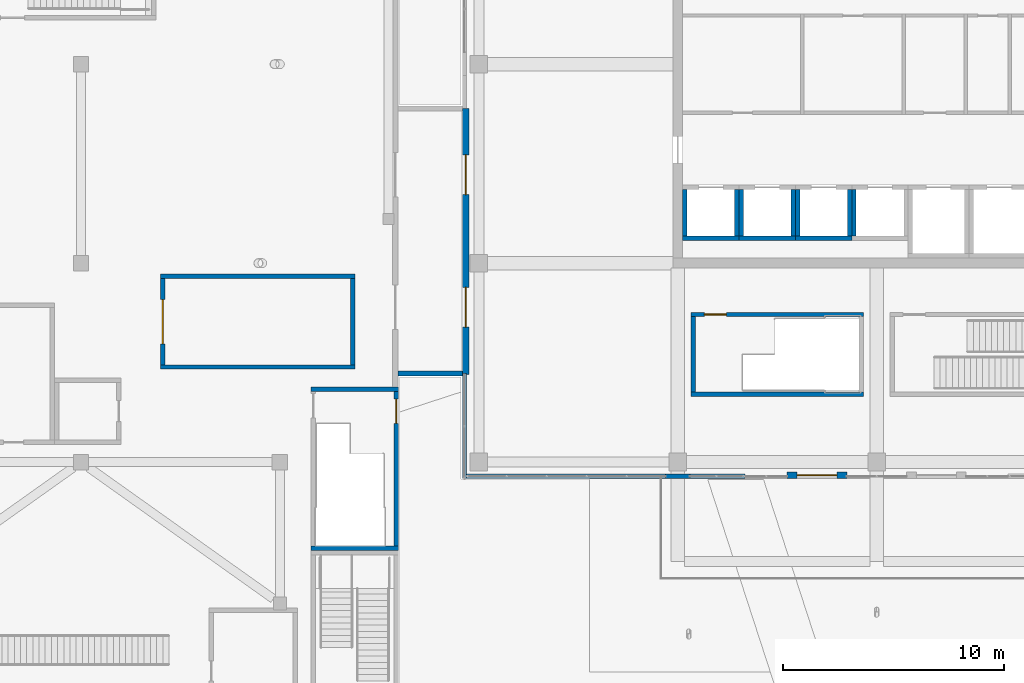
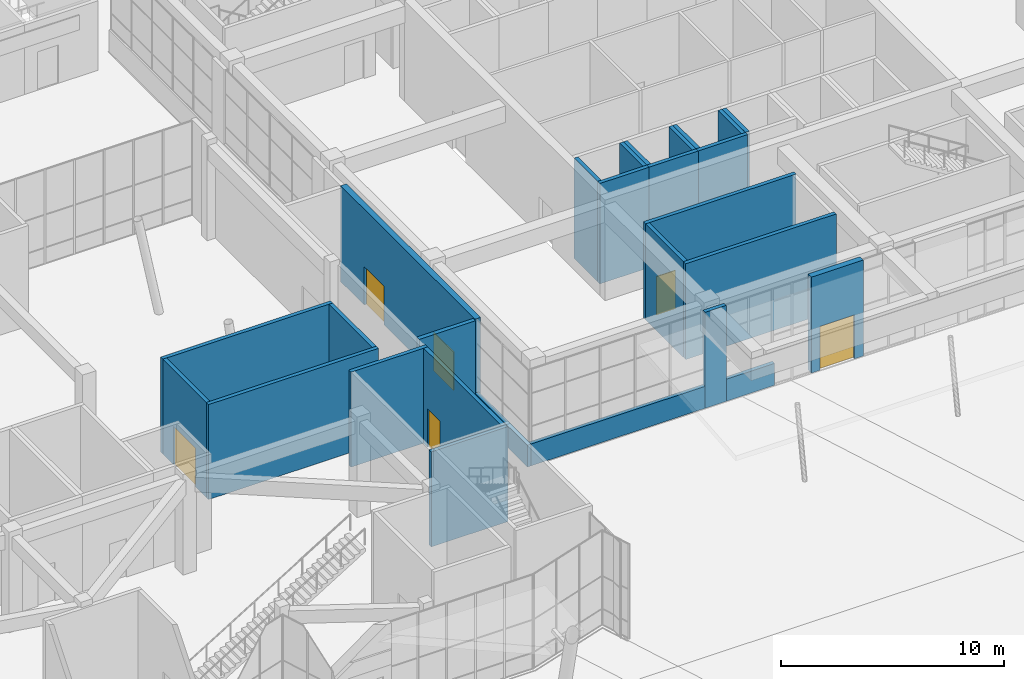
# One storey, part 53 of 72: 27 walls, 6 doors, 6 openings.
"""IFC4 building model written with IfcOpenShell, lengths in metres."""

import ifcopenshell
import ifcopenshell.guid

model = None  # the IFC model being written
_history = None  # IfcOwnerHistory: only IFC2X3 demands one
_inside = {}  # id of a spatial element -> (the spatial element, [elements in it])
_under = {}  # id of a project, library or spatial element -> (it, [spatial elements below it])
_declared = {}  # id of a project -> (the project, [libraries it declares])
_typed = {}  # id of a type object -> (the type object, [elements of that type])
_made_of = {}  # id of a material, layer set ... -> (it, [elements and type objects made of it])


def new_model(schema):
    """Start an empty IFC model of exactly this schema.

    Asked for "IFC4X3", IfcOpenShell would pick the latest addendum, in which some entities
    have other attributes; the version numbers below select the first issue.
    IFC2X3 requires an IfcOwnerHistory on every rooted entity: one is made here for all.
    """
    global model, _history
    if schema == "IFC4X3":
        model = ifcopenshell.file(schema_version=(4, 3, 0, 0))
    else:
        model = ifcopenshell.file(schema=schema)
    _inside.clear()
    _under.clear()
    _declared.clear()
    _typed.clear()
    _made_of.clear()
    _history = None
    if model.schema == "IFC2X3":
        org = make("IfcOrganization", Name="unknown")
        user = make(
            "IfcPersonAndOrganization",
            ThePerson=make("IfcPerson", FamilyName="unknown"),
            TheOrganization=org,
        )
        app = make(
            "IfcApplication",
            ApplicationDeveloper=org,
            Version="unknown",
            ApplicationFullName="unknown",
            ApplicationIdentifier="unknown",
        )
        _history = make(
            "IfcOwnerHistory",
            OwningUser=user,
            OwningApplication=app,
            ChangeAction="ADDED",
            CreationDate=0,
        )
    return model


def make(cls, **values):
    """One entity of the class cls with the attributes given. An attribute that is None is left unset."""
    return model.create_entity(
        cls, **{name: value for name, value in values.items() if value is not None}
    )


def rooted(cls, **values):
    """An entity with a GlobalId (a new one), such as an element, a storey or a relation."""
    return make(cls, GlobalId=ifcopenshell.guid.new(), OwnerHistory=_history, **values)


def si_unit(unit_type, name, prefix=None):
    """IfcSIUnit, for example si_unit("LENGTHUNIT", "METRE", prefix="MILLI")."""
    return make("IfcSIUnit", UnitType=unit_type, Prefix=prefix, Name=name)


def assignment(units):
    """IfcUnitAssignment: the units of a project."""
    return None if units is None else make("IfcUnitAssignment", Units=units)


def point(xyz):
    """IfcCartesianPoint."""
    return None if xyz is None else make("IfcCartesianPoint", Coordinates=xyz)


def direction(xyz):
    """IfcDirection."""
    return None if xyz is None else make("IfcDirection", DirectionRatios=xyz)


def frame(location, z_axis=None, x_axis=None):
    """IfcAxis2Placement3D, a coordinate frame: its origin and axes. An axis left out is left unset."""
    return make(
        "IfcAxis2Placement3D",
        Location=point(location),
        Axis=direction(z_axis),
        RefDirection=direction(x_axis),
    )


def frame_2d(location, x_axis=None):
    """IfcAxis2Placement2D, a coordinate frame in the plane: its origin and x axis."""
    return make(
        "IfcAxis2Placement2D", Location=point(location), RefDirection=direction(x_axis)
    )


def origin():
    """The frame at (0, 0, 0) with its axes left unset."""
    return frame((0.0, 0.0, 0.0))


def place(relative_to, where):
    """IfcLocalPlacement: puts the frame where relative to a parent placement (None: the world)."""
    return make(
        "IfcLocalPlacement", PlacementRelTo=relative_to, RelativePlacement=where
    )


def context(
    kind, dimensions, precision=None, world=None, true_north=None, identifier=None
):
    """IfcGeometricRepresentationContext, for example the 3D "Model" context."""
    return make(
        "IfcGeometricRepresentationContext",
        ContextIdentifier=identifier,
        ContextType=kind,
        CoordinateSpaceDimension=dimensions,
        Precision=precision,
        WorldCoordinateSystem=world,
        TrueNorth=true_north,
    )


def subcontext(parent, identifier, kind, view, scale=None):
    """IfcGeometricRepresentationSubContext, for example "Body" below "Model"."""
    return make(
        "IfcGeometricRepresentationSubContext",
        ContextIdentifier=identifier,
        ContextType=kind,
        ParentContext=parent,
        TargetScale=scale,
        TargetView=view,
    )


def project(units=None, contexts=None):
    """IfcProject with its units and contexts."""
    return rooted(
        "IfcProject",
        Name="project",
        RepresentationContexts=contexts,
        UnitsInContext=assignment(units),
    )


def spatial(cls, under=None, at=None, **own):
    """A site, building, storey or space (cls), placed at a placement, below another one or the project."""
    s = rooted(cls, ObjectPlacement=at, **own)
    if under is not None:
        _under.setdefault(under.id(), (under, []))[1].append(s)
    return s


def profile(cls, at=None, kind="AREA", **sizes):
    """A parametric profile (cls). Its sizes go by their IFC names, for example OverallWidth=200.0."""
    return make(cls, ProfileType=kind, Position=at, **sizes)


def rectangle(**sizes):
    """IfcRectangleProfileDef."""
    return profile("IfcRectangleProfileDef", **sizes)


def extrude(swept, where, along, depth):
    """IfcExtrudedAreaSolid: the profile swept, set in the frame where, extruded along a direction by depth."""
    return make(
        "IfcExtrudedAreaSolid",
        SweptArea=swept,
        Position=where,
        ExtrudedDirection=direction(along),
        Depth=depth,
    )


def shape(context_of_items, identifier, shape_type, items):
    """IfcShapeRepresentation: the items that make up one representation, for example the "Body"."""
    return make(
        "IfcShapeRepresentation",
        ContextOfItems=context_of_items,
        RepresentationIdentifier=identifier,
        RepresentationType=shape_type,
        Items=items,
    )


def material(Name=None, Category=None):
    """IfcMaterial."""
    return make("IfcMaterial", Name=Name, Category=Category)


def layer(
    of_material, thickness, ventilated=None, Name=None, Category=None, Priority=None
):
    """IfcMaterialLayer: one layer of a wall or slab, of a material (None: an air gap)."""
    return make(
        "IfcMaterialLayer",
        Material=of_material,
        LayerThickness=thickness,
        IsVentilated=ventilated,
        Name=Name,
        Category=Category,
        Priority=Priority,
    )


def layer_set(layers, Name=None):
    """IfcMaterialLayerSet."""
    return make("IfcMaterialLayerSet", MaterialLayers=layers, LayerSetName=Name)


def made_of(thing, what):
    """Note that an element or type object is made of a material, layer set ...; save() writes the relation."""
    if what is not None:
        _made_of.setdefault(what.id(), (what, []))[1].append(thing)
    return thing


def type_object(cls, material=None, **own):
    """A type object (cls), such as IfcWallType, which elements share."""
    return made_of(rooted(cls, **own), material)


def element(
    cls,
    number,
    at=None,
    inside=None,
    cuts=None,
    type_object=None,
    material=None,
    context=None,
    identifier="Body",
    shape_type=None,
    held_by="IfcProductDefinitionShape",
    body=None,
    shapes=None,
    **own,
):
    """One element of the class cls, such as IfcWall. Its Tag is "e" and its number.

    at: its placement. inside: the storey or other place that contains it. cuts: it is an
    opening in that element (IfcRelVoidsElement). A single representation is given by context,
    identifier, shape_type and body (its items); several are given by shapes. held_by: the class
    of the entity that holds the representations. save() writes the other relations.
    """
    e = rooted(cls, Tag="e%d" % number, ObjectPlacement=at, **own)
    if body is not None:
        shapes = [shape(context, identifier, shape_type, body)]
    if shapes is not None:
        e.Representation = make(held_by, Representations=shapes)
    if inside is not None:
        _inside.setdefault(inside.id(), (inside, []))[1].append(e)
    if cuts is not None:
        rooted(
            "IfcRelVoidsElement", RelatingBuildingElement=cuts, RelatedOpeningElement=e
        )
    if type_object is not None:
        _typed.setdefault(type_object.id(), (type_object, []))[1].append(e)
    return made_of(e, material)


def fill(opening, filler):
    """IfcRelFillsElement: the door or window that sits in an opening."""
    return rooted(
        "IfcRelFillsElement",
        RelatingOpeningElement=opening,
        RelatedBuildingElement=filler,
    )


def aggregate(whole, parts):
    """IfcRelAggregates: a whole, such as a stair, and the parts it consists of."""
    return rooted("IfcRelAggregates", RelatingObject=whole, RelatedObjects=parts)


def save(model, path):
    """Write the relations noted so far, then the file.

    IfcRelAggregates (storeys below a building ...), IfcRelContainedInSpatialStructure (elements
    in a storey), IfcRelDefinesByType, IfcRelAssociatesMaterial and IfcRelDeclares: one each for
    every whole, place, type object, material and project.
    """
    for whole, parts in _under.values():
        aggregate(whole, parts)
    for where, things in _inside.values():
        rooted(
            "IfcRelContainedInSpatialStructure",
            RelatedElements=things,
            RelatingStructure=where,
        )
    for kind, things in _typed.values():
        rooted("IfcRelDefinesByType", RelatedObjects=things, RelatingType=kind)
    for what, things in _made_of.values():
        rooted("IfcRelAssociatesMaterial", RelatedObjects=things, RelatingMaterial=what)
    for by, libraries in _declared.values():
        rooted("IfcRelDeclares", RelatingContext=by, RelatedDefinitions=libraries)
    model.write(path)


model = new_model("IFC4")

# Units and contexts
model_context = context("Model", 3, precision=1e-05, world=origin(), true_north=direction((0.0, 1.0)))
body_context = subcontext(model_context, "Body", "Model", "MODEL_VIEW")
ifc_project = project(units=[si_unit("LENGTHUNIT", "METRE"), si_unit("AREAUNIT", "SQUARE_METRE"), si_unit("VOLUMEUNIT", "CUBIC_METRE"), si_unit("PLANEANGLEUNIT", "RADIAN"), si_unit("MASSUNIT", "GRAM", prefix="KILO")], contexts=[model_context])

# Site, building, storey
site_placement = place(None, origin())
site = spatial("IfcSite", under=ifc_project, at=site_placement, CompositionType="ELEMENT")
building_placement = place(site_placement, origin())
building = spatial("IfcBuilding", under=site, at=building_placement, Name="Tuart Plaza Theatre", CompositionType="ELEMENT")
storey_placement = place(building_placement, origin())
storey = spatial("IfcBuildingStorey", under=building, at=storey_placement, Name="L00", CompositionType="ELEMENT", Elevation=0.0)

# Walls
ifc_material_1 = material(Name="Masonry", Category="masonry")
ifc_layer_1 = layer(ifc_material_1, 0.199951171875)
ifc_layer_set_1 = layer_set([ifc_layer_1], Name="PARTITION BLK200 FRL 120/-/-")
wall_type_1 = type_object("IfcWallType", Name="PARTITION BLK200 FRL 120/-/-", PredefinedType="PARTITIONING", material=ifc_layer_set_1)
wall_1_placement = place(storey_placement, frame((99.60009765625, 60.300048828125, 0.0), z_axis=(0.0, 0.0, 1.0), x_axis=(1.0, 0.0, 0.0)))
element("IfcWall", 1, at=wall_1_placement, inside=storey, type_object=wall_type_1, Name="P305", PredefinedType="PARTITIONING", context=body_context, shape_type="SweptSolid", body=[
    extrude(rectangle(XDim=8.7998046875, YDim=0.199951171875, at=frame_2d((4.39990234375, 0.0))), origin(), (0.0, 0.0, 1.0), 5.199951171875),
])
wall_2_placement = place(storey_placement, frame((108.300048828125, 60.39990234375, 0.0), z_axis=(0.0, 0.0, 1.0), x_axis=(0.0, 1.0, 0.0)))
element("IfcWall", 2, at=wall_2_placement, inside=storey, type_object=wall_type_1, Name="P306", PredefinedType="PARTITIONING", context=body_context, shape_type="SweptSolid", body=[
    extrude(rectangle(XDim=3.900146484375, YDim=0.199951171875, at=frame_2d((1.9501953125, 0.0))), origin(), (0.0, 0.0, 1.0), 5.199951171875),
])
wall_3_placement = place(storey_placement, frame((108.39990234375, 64.39990234375, 0.0), z_axis=(0.0, 0.0, 1.0), x_axis=(-1.0, 0.0, 0.0)))
element("IfcWall", 3, at=wall_3_placement, inside=storey, type_object=wall_type_1, Name="P307", PredefinedType="PARTITIONING", context=body_context, shape_type="SweptSolid", body=[
    extrude(rectangle(XDim=8.7998046875, YDim=0.199951171875, at=frame_2d((4.39990234375, 0.0))), origin(), (0.0, 0.0, 1.0), 5.199951171875),
])

# Wall, opening, door
wall_4_placement = place(storey_placement, frame((99.699951171875, 64.300048828125, 0.0), z_axis=(0.0, 0.0, 1.0), x_axis=(0.0, -1.0, 0.0)))
wall_4 = element("IfcWall", 4, at=wall_4_placement, inside=storey, type_object=wall_type_1, Name="P308", PredefinedType="PARTITIONING", context=body_context, shape_type="SweptSolid", body=[
    extrude(rectangle(XDim=3.900146484375, YDim=0.199951171875, at=frame_2d((1.9501953125, 0.0))), origin(), (0.0, 0.0, 1.0), 5.199951171875),
])
opening_1_placement = place(wall_4_placement, frame((0.949951171875, 0.0, 0.0)))
opening_1 = element("IfcOpeningElement", 5, at=opening_1_placement, cuts=wall_4, Name="Opening L00-057", PredefinedType="OPENING", context=body_context, shape_type="SweptSolid", body=[
    extrude(rectangle(XDim=2.0, YDim=2.10009765625, at=frame_2d((1.0, 1.050048828125))), frame((0.0, 0.10986328125, 0.0), z_axis=(0.0, -1.0, 0.0), x_axis=(1.0, 0.0, 0.0)), (0.0, 0.0, 1.0), 0.219970703125),
])
ifc_material_2 = material(Name="Timber", Category="wood")
door_type_1 = type_object("IfcDoorType", Name="DOOR 2000x2100 timber double swing FRL -/60/30", OperationType="DOUBLE_DOOR_SINGLE_SWING", PredefinedType="DOOR", material=ifc_material_2)
door_1_placement = place(opening_1_placement, origin())
door_1 = element("IfcDoor", 6, at=door_1_placement, inside=storey, type_object=door_type_1, Name="L00-057", OperationType="DOUBLE_DOOR_SINGLE_SWING", OverallHeight=2.10009765625, OverallWidth=2.0, PredefinedType="DOOR", context=body_context, shape_type="SweptSolid", body=[
    extrude(rectangle(XDim=2.0, YDim=2.10009765625, at=frame_2d((1.0, 1.050048828125))), frame((0.0, 0.02490234375, 0.0), z_axis=(0.0, -1.0, 0.0), x_axis=(1.0, 0.0, 0.0)), (0.0, 0.0, 1.0), 0.050048828125),
])
fill(opening_1, door_1)

# Walls
ifc_material_3 = material(Name="Concrete N40 (40 MPa)", Category="concrete")
ifc_layer_2 = layer(ifc_material_3, 0.199951171875)
ifc_layer_set_2 = layer_set([ifc_layer_2], Name="SHEAR WALL RC200 FRL 120/120/120")
wall_type_2 = type_object("IfcWallType", Name="SHEAR WALL RC200 FRL 120/120/120", PredefinedType="SHEAR", material=ifc_layer_set_2)
for number, where, z_axis, x_axis, name in (
    (7, (106.39990234375, 52.10009765625, 0.0), (0.0, 0.0, 1.0), (1.0, 0.0, 0.0), "W259"),
    (8, (110.360107421875, 59.300048828125, 0.0), (0.0, 0.0, 1.0), (-1.0, 0.0, 0.0), "W260"),
):
    element("IfcWall", number, at=place(storey_placement, frame(where, z_axis=z_axis, x_axis=x_axis)), inside=storey, type_object=wall_type_2, Name=name, PredefinedType="SHEAR", context=body_context, shape_type="SweptSolid", body=[
        extrude(rectangle(XDim=3.960205078125, YDim=0.199951171875, at=frame_2d((1.97998046875, 0.0))), origin(), (0.0, 0.0, 1.0), 5.199951171875),
    ])
wall_5_placement = place(storey_placement, frame((123.22509765625, 66.125, 0.0), z_axis=(0.0, 0.0, 1.0), x_axis=(1.0, 0.0, 0.0)))
element("IfcWall", 9, at=wall_5_placement, inside=storey, type_object=wall_type_2, Name="W550", PredefinedType="SHEAR", context=body_context, shape_type="SweptSolid", body=[
    extrude(rectangle(XDim=2.5498046875, YDim=0.199951171875, at=frame_2d((1.27490234375, 0.0))), origin(), (0.0, 0.0, 1.0), 5.5),
])
for number, where, z_axis, x_axis, name in (
    (10, (125.675048828125, 66.22509765625, 0.0), (0.0, 0.0, 1.0), (0.0, 1.0, 0.0), "W551"),
    (11, (123.324951171875, 68.324951171875, 0.0), (0.0, 0.0, 1.0), (0.0, -1.0, 0.0), "W553"),
):
    element("IfcWall", number, at=place(storey_placement, frame(where, z_axis=z_axis, x_axis=x_axis)), inside=storey, type_object=wall_type_2, Name=name, PredefinedType="SHEAR", context=body_context, shape_type="SweptSolid", body=[
        extrude(rectangle(XDim=2.099853515625, YDim=0.199951171875, at=frame_2d((1.0498046875, 0.0))), origin(), (0.0, 0.0, 1.0), 5.5),
    ])
wall_6_placement = place(storey_placement, frame((125.77490234375, 66.125, 0.0), z_axis=(0.0, 0.0, 1.0), x_axis=(1.0, 0.0, 0.0)))
element("IfcWall", 12, at=wall_6_placement, inside=storey, type_object=wall_type_2, Name="W594", PredefinedType="SHEAR", context=body_context, shape_type="SweptSolid", body=[
    extrude(rectangle(XDim=2.550048828125, YDim=0.199951171875, at=frame_2d((1.27490234375, 0.0))), origin(), (0.0, 0.0, 1.0), 5.5),
])
for number, where, z_axis, x_axis, name in (
    (13, (128.22509765625, 66.22509765625, 0.0), (0.0, 0.0, 1.0), (0.0, 1.0, 0.0), "W595"),
    (14, (125.875, 68.324951171875, 0.0), (0.0, 0.0, 1.0), (0.0, -1.0, 0.0), "W597"),
):
    element("IfcWall", number, at=place(storey_placement, frame(where, z_axis=z_axis, x_axis=x_axis)), inside=storey, type_object=wall_type_2, Name=name, PredefinedType="SHEAR", context=body_context, shape_type="SweptSolid", body=[
        extrude(rectangle(XDim=2.099853515625, YDim=0.199951171875, at=frame_2d((1.0498046875, 0.0))), origin(), (0.0, 0.0, 1.0), 5.5),
    ])
wall_7_placement = place(storey_placement, frame((128.324951171875, 66.125, 0.0), z_axis=(0.0, 0.0, 1.0), x_axis=(1.0, 0.0, 0.0)))
element("IfcWall", 15, at=wall_7_placement, inside=storey, type_object=wall_type_2, Name="W638", PredefinedType="SHEAR", context=body_context, shape_type="SweptSolid", body=[
    extrude(rectangle(XDim=2.550048828125, YDim=0.199951171875, at=frame_2d((1.27490234375, 0.0))), origin(), (0.0, 0.0, 1.0), 5.5),
])
for number, where, z_axis, x_axis, name in (
    (16, (130.77490234375, 66.22509765625, 0.0), (0.0, 0.0, 1.0), (0.0, 1.0, 0.0), "W639"),
    (17, (128.425048828125, 68.324951171875, 0.0), (0.0, 0.0, 1.0), (0.0, -1.0, 0.0), "W641"),
    (18, (130.97509765625, 68.324951171875, 0.0), (0.0, 0.0, 1.0), (0.0, -1.0, 0.0), "W685"),
):
    element("IfcWall", number, at=place(storey_placement, frame(where, z_axis=z_axis, x_axis=x_axis)), inside=storey, type_object=wall_type_2, Name=name, PredefinedType="SHEAR", context=body_context, shape_type="SweptSolid", body=[
        extrude(rectangle(XDim=2.099853515625, YDim=0.199951171875, at=frame_2d((1.0498046875, 0.0))), origin(), (0.0, 0.0, 1.0), 5.5),
    ])
wall_8_placement = place(storey_placement, frame((123.60009765625, 59.074951171875, 0.0), z_axis=(0.0, 0.0, 1.0), x_axis=(1.0, 0.0, 0.0)))
element("IfcWall", 19, at=wall_8_placement, inside=storey, type_object=wall_type_2, Name="P484", PredefinedType="SHEAR", context=body_context, shape_type="SweptSolid", body=[
    extrude(rectangle(XDim=7.7998046875, YDim=0.199951171875, at=frame_2d((3.89990234375, 0.0))), origin(), (0.0, 0.0, 1.0), 5.25),
])

# Wall, opening, door
wall_9_placement = place(storey_placement, frame((131.39990234375, 62.675048828125, 0.0), z_axis=(0.0, 0.0, 1.0), x_axis=(-1.0, 0.0, 0.0)))
wall_9 = element("IfcWall", 20, at=wall_9_placement, inside=storey, type_object=wall_type_2, Name="P486", PredefinedType="SHEAR", context=body_context, shape_type="SweptSolid", body=[
    extrude(rectangle(XDim=7.7998046875, YDim=0.199951171875, at=frame_2d((3.89990234375, 0.0))), origin(), (0.0, 0.0, 1.0), 5.25),
])
opening_2_placement = place(wall_9_placement, frame((6.199951171875, 0.0, 0.0)))
opening_2 = element("IfcOpeningElement", 21, at=opening_2_placement, cuts=wall_9, Name="Opening L00-081", PredefinedType="OPENING", context=body_context, shape_type="SweptSolid", body=[
    extrude(rectangle(XDim=1.0, YDim=2.10009765625, at=frame_2d((0.5, 1.050048828125))), frame((0.0, 0.10986328125, 0.0), z_axis=(0.0, -1.0, 0.0), x_axis=(1.0, 0.0, 0.0)), (0.0, 0.0, 1.0), 0.219970703125),
])
ifc_material_4 = material(Name="Steel Grade 300", Category="steel")
door_type_2 = type_object("IfcDoorType", Name="DOOR 1000x2100 steel single swing FRL -/120/30", OperationType="SINGLE_SWING_LEFT", PredefinedType="DOOR", material=ifc_material_4)
door_2_placement = place(opening_2_placement, origin())
door_2 = element("IfcDoor", 22, at=door_2_placement, inside=storey, type_object=door_type_2, Name="L00-081", OperationType="SINGLE_SWING_LEFT", OverallHeight=2.10009765625, OverallWidth=1.0, PredefinedType="DOOR", context=body_context, shape_type="SweptSolid", body=[
    extrude(rectangle(XDim=1.0, YDim=2.10009765625, at=frame_2d((0.5, 1.050048828125))), frame((0.0, 0.02490234375, 0.0), z_axis=(0.0, -1.0, 0.0), x_axis=(1.0, 0.0, 0.0)), (0.0, 0.0, 1.0), 0.050048828125),
])
fill(opening_2, door_2)

# Wall
wall_10_placement = place(storey_placement, frame((123.699951171875, 62.574951171875, 0.0), z_axis=(0.0, 0.0, 1.0), x_axis=(0.0, -1.0, 0.0)))
element("IfcWall", 23, at=wall_10_placement, inside=storey, type_object=wall_type_2, Name="P487", PredefinedType="SHEAR", context=body_context, shape_type="SweptSolid", body=[
    extrude(rectangle(XDim=3.39990234375, YDim=0.199951171875, at=frame_2d((1.699951171875, 0.0))), origin(), (0.0, 0.0, 1.0), 5.25),
])

# Wall, opening, door
ifc_material_5 = material(Name="Concrete N40 (40 MPa)", Category="concrete")
ifc_layer_3 = layer(ifc_material_5, 0.199951171875)
ifc_layer_set_3 = layer_set([ifc_layer_3], Name="SHEAR WALL RC200 FRL 120/120/120 EXT")
wall_type_3 = type_object("IfcWallType", Name="SHEAR WALL RC200 FRL 120/120/120 EXT", PredefinedType="SHEAR", material=ifc_layer_set_3)
wall_11_placement = place(storey_placement, frame((110.260009765625, 52.199951171875, 0.0), z_axis=(0.0, 0.0, 1.0), x_axis=(0.0, 1.0, 0.0)))
wall_11 = element("IfcWall", 24, at=wall_11_placement, inside=storey, type_object=wall_type_3, Name="W262", PredefinedType="SHEAR", context=body_context, shape_type="SweptSolid", body=[
    extrude(rectangle(XDim=7.0, YDim=0.199951171875, at=frame_2d((3.5, 0.0))), origin(), (0.0, 0.0, 1.0), 5.199951171875),
])
opening_3_placement = place(wall_11_placement, frame((5.550048828125, 0.0, 0.0)))
opening_3 = element("IfcOpeningElement", 25, at=opening_3_placement, cuts=wall_11, Name="Opening L00-064", PredefinedType="OPENING", context=body_context, shape_type="SweptSolid", body=[
    extrude(rectangle(XDim=1.10009765625, YDim=2.10009765625, at=frame_2d((0.550048828125, 1.050048828125))), frame((0.0, 0.10986328125, 0.0), z_axis=(0.0, -1.0, 0.0), x_axis=(1.0, 0.0, 0.0)), (0.0, 0.0, 1.0), 0.219970703125),
])
ifc_material_6 = material(Name="Steel Grade 300", Category="steel")
door_type_3 = type_object("IfcDoorType", Name="DOOR 1100x2100 steel single swing FRL -/120/30", OperationType="SINGLE_SWING_LEFT", PredefinedType="DOOR", material=ifc_material_6)
door_3_placement = place(opening_3_placement, frame((1.10009765625, 0.0, 0.0), z_axis=(0.0, 0.0, 1.0), x_axis=(-1.0, 0.0, 0.0)))
door_3 = element("IfcDoor", 26, at=door_3_placement, inside=storey, type_object=door_type_3, Name="L00-064", OperationType="SINGLE_SWING_RIGHT", OverallHeight=2.10009765625, OverallWidth=1.10009765625, PredefinedType="DOOR", context=body_context, shape_type="SweptSolid", body=[
    extrude(rectangle(XDim=1.10009765625, YDim=2.10009765625, at=frame_2d((0.550048828125, 1.050048828125))), frame((0.0, 0.02490234375, 0.0), z_axis=(0.0, -1.0, 0.0), x_axis=(1.0, 0.0, 0.0)), (0.0, 0.0, 1.0), 0.050048828125),
])
fill(opening_3, door_3)

# Walls
ifc_material_7 = material(Name="Steel panel", Category="steel")
ifc_layer_4 = layer(ifc_material_7, 0.199951171875)
ifc_layer_set_4 = layer_set([ifc_layer_4], Name="WALL CLD200 STEELPAN EXT base panel")
wall_type_4 = type_object("IfcWallType", Name="WALL CLD200 STEELPAN EXT base panel", PredefinedType="SOLIDWALL", material=ifc_layer_set_4)
wall_12_placement = place(storey_placement, frame((113.35009765625, 60.0, 0.0), z_axis=(0.0, 0.0, 1.0), x_axis=(0.0, -1.0, 0.0)))
element("IfcWall", 27, at=wall_12_placement, inside=storey, type_object=wall_type_4, Name="P115", PredefinedType="SOLIDWALL", context=body_context, shape_type="SweptSolid", body=[
    extrude(rectangle(XDim=4.75, YDim=0.199951171875, at=frame_2d((2.375, 0.0))), origin(), (0.0, 0.0, 1.0), 1.199951171875),
])
wall_13_placement = place(storey_placement, frame((113.449951171875, 55.35009765625, 0.0), z_axis=(0.0, 0.0, 1.0), x_axis=(1.0, 0.0, 0.0)))
element("IfcWall", 28, at=wall_13_placement, inside=storey, type_object=wall_type_4, Name="P116", PredefinedType="SOLIDWALL", context=body_context, shape_type="SweptSolid", body=[
    extrude(rectangle(XDim=9.050048828125, YDim=0.199951171875, at=frame_2d((4.52490234375, 0.0))), origin(), (0.0, 0.0, 1.0), 1.199951171875),
])
wall_14_placement = place(storey_placement, frame((122.449951171875, 55.35009765625, 0.0), z_axis=(0.0, 0.0, 1.0), x_axis=(1.0, 0.0, 0.0)))
element("IfcWall", 29, at=wall_14_placement, inside=storey, type_object=wall_type_4, Name="P117", PredefinedType="SOLIDWALL", context=body_context, shape_type="SweptSolid", body=[
    extrude(rectangle(XDim=1.10009765625, YDim=0.199951171875, at=frame_2d((0.550048828125, 0.0))), origin(), (0.0, 0.0, 1.0), 5.25),
])
wall_15_placement = place(storey_placement, frame((123.5, 55.35009765625, 0.0), z_axis=(0.0, 0.0, 1.0), x_axis=(1.0, 0.0, 0.0)))
element("IfcWall", 30, at=wall_15_placement, inside=storey, type_object=wall_type_4, Name="P118", PredefinedType="SOLIDWALL", context=body_context, shape_type="SweptSolid", body=[
    extrude(rectangle(XDim=2.550048828125, YDim=0.199951171875, at=frame_2d((1.27490234375, 0.0))), origin(), (0.0, 0.0, 1.0), 1.199951171875),
])

# Wall, opening, door
ifc_material_8 = material(Name="Steel panel", Category="steel")
ifc_layer_5 = layer(ifc_material_8, 0.300048828125)
ifc_layer_set_5 = layer_set([ifc_layer_5], Name="WALL CLD300 STEELPAN EXT entrance frame")
wall_type_5 = type_object("IfcWallType", Name="WALL CLD300 STEELPAN EXT entrance frame", PredefinedType="SOLIDWALL", material=ifc_layer_set_5)
wall_16_placement = place(storey_placement, frame((127.949951171875, 55.39990234375, 0.0), z_axis=(0.0, 0.0, 1.0), x_axis=(1.0, 0.0, 0.0)))
wall_16 = element("IfcWall", 31, at=wall_16_placement, inside=storey, type_object=wall_type_5, Name="P119", PredefinedType="SOLIDWALL", context=body_context, shape_type="SweptSolid", body=[
    extrude(rectangle(XDim=2.699951171875, YDim=0.300048828125, at=frame_2d((1.35009765625, 0.0))), origin(), (0.0, 0.0, 1.0), 5.25),
])
opening_4_placement = place(wall_16_placement, frame((0.449951171875, 0.0, 0.0)))
opening_4 = element("IfcOpeningElement", 32, at=opening_4_placement, cuts=wall_16, Name="Opening L00-015", PredefinedType="OPENING", context=body_context, shape_type="SweptSolid", body=[
    extrude(rectangle(XDim=1.800048828125, YDim=2.39990234375, at=frame_2d((0.89990234375, 1.199951171875))), frame((0.0, 0.159912109375, 0.0), z_axis=(0.0, -1.0, 0.0), x_axis=(1.0, 0.0, 0.0)), (0.0, 0.0, 1.0), 0.320068359375),
])
ifc_material_9 = material(Name="Aluminium", Category="aluminium")
door_type_4 = type_object("IfcDoorType", Name="DOOR 1800x2400 aluminium double swing glazed", OperationType="DOUBLE_DOOR_SINGLE_SWING", PredefinedType="DOOR", material=ifc_material_9)
door_4_placement = place(opening_4_placement, frame((1.800048828125, 0.0, 0.0), z_axis=(0.0, 0.0, 1.0), x_axis=(-1.0, 0.0, 0.0)))
door_4 = element("IfcDoor", 33, at=door_4_placement, inside=storey, type_object=door_type_4, Name="L00-015", OperationType="DOUBLE_DOOR_SINGLE_SWING", OverallHeight=2.39990234375, OverallWidth=1.800048828125, PredefinedType="DOOR", context=body_context, shape_type="SweptSolid", body=[
    extrude(rectangle(XDim=1.800048828125, YDim=2.39990234375, at=frame_2d((0.89990234375, 1.199951171875))), frame((0.0, 0.02490234375, 0.0), z_axis=(0.0, -1.0, 0.0), x_axis=(1.0, 0.0, 0.0)), (0.0, 0.0, 1.0), 0.050048828125),
])
fill(opening_4, door_4)

# Wall
ifc_material_10 = material(Name="Concrete N40 (40 MPa)", Category="concrete")
ifc_layer_6 = layer(ifc_material_10, 0.219970703125)
ifc_layer_set_6 = layer_set([ifc_layer_6], Name="WALL RC220 FRL 120/120/120")
wall_type_6 = type_object("IfcWallType", Name="WALL RC220 FRL 120/120/120", PredefinedType="SOLIDWALL", material=ifc_layer_set_6)
wall_17_placement = place(storey_placement, frame((110.337890625, 60.0, 0.0), z_axis=(0.0, 0.0, 1.0), x_axis=(1.0, 0.0, 0.0)))
element("IfcWall", 34, at=wall_17_placement, inside=storey, type_object=wall_type_6, Name="P50", PredefinedType="SOLIDWALL", context=body_context, shape_type="SweptSolid", body=[
    extrude(rectangle(XDim=2.912109375, YDim=0.219970703125, at=frame_2d((1.4560546875, 0.0))), origin(), (0.0, 0.0, 1.0), 5.199951171875),
])

# Wall, openings, doors
ifc_material_11 = material(Name="Concrete N40 (40 MPa)", Category="concrete")
ifc_layer_7 = layer(ifc_material_11, 0.300048828125)
ifc_layer_set_7 = layer_set([ifc_layer_7], Name="WALL RC300 FRL 120/120/120 EXT")
wall_type_7 = type_object("IfcWallType", Name="WALL RC300 FRL 120/120/120 EXT", PredefinedType="SOLIDWALL", material=ifc_layer_set_7)
wall_18_placement = place(storey_placement, frame((113.39990234375, 72.0, 0.0), z_axis=(0.0, 0.0, 1.0), x_axis=(0.0, -1.0, 0.0)))
wall_18 = element("IfcWall", 35, at=wall_18_placement, inside=storey, type_object=wall_type_7, Name="P114", PredefinedType="SOLIDWALL", context=body_context, shape_type="SweptSolid", body=[
    extrude(rectangle(XDim=12.050048828125, YDim=0.300048828125, at=frame_2d((6.02490234375, 0.0))), origin(), (0.0, 0.0, 1.0), 5.25),
])
opening_5_placement = place(wall_18_placement, frame((8.10009765625, 0.0, 0.0)))
opening_5 = element("IfcOpeningElement", 36, at=opening_5_placement, cuts=wall_18, Name="Opening L00-013", PredefinedType="OPENING", context=body_context, shape_type="SweptSolid", body=[
    extrude(rectangle(XDim=1.800048828125, YDim=2.10009765625, at=frame_2d((0.89990234375, 1.050048828125))), frame((0.0, 0.159912109375, 0.0), z_axis=(0.0, -1.0, 0.0), x_axis=(1.0, 0.0, 0.0)), (0.0, 0.0, 1.0), 0.320068359375),
])
opening_6_placement = place(wall_18_placement, frame((2.10009765625, 0.0, 0.0)))
opening_6 = element("IfcOpeningElement", 37, at=opening_6_placement, cuts=wall_18, Name="Opening L00-014", PredefinedType="OPENING", context=body_context, shape_type="SweptSolid", body=[
    extrude(rectangle(XDim=1.800048828125, YDim=2.10009765625, at=frame_2d((0.89990234375, 1.050048828125))), frame((0.0, 0.159912109375, 0.0), z_axis=(0.0, -1.0, 0.0), x_axis=(1.0, 0.0, 0.0)), (0.0, 0.0, 1.0), 0.320068359375),
])
ifc_material_12 = material(Name="Steel Grade 300", Category="steel")
door_type_5 = type_object("IfcDoorType", Name="DOOR 1800x2100 steel double swing FRL -/120/30", OperationType="DOUBLE_DOOR_SINGLE_SWING", PredefinedType="DOOR", material=ifc_material_12)
door_5_placement = place(opening_5_placement, origin())
door_5 = element("IfcDoor", 38, at=door_5_placement, inside=storey, type_object=door_type_5, Name="L00-013", OperationType="DOUBLE_DOOR_SINGLE_SWING", OverallHeight=2.10009765625, OverallWidth=1.800048828125, PredefinedType="DOOR", context=body_context, shape_type="SweptSolid", body=[
    extrude(rectangle(XDim=1.800048828125, YDim=2.10009765625, at=frame_2d((0.89990234375, 1.050048828125))), frame((0.0, 0.02490234375, 0.0), z_axis=(0.0, -1.0, 0.0), x_axis=(1.0, 0.0, 0.0)), (0.0, 0.0, 1.0), 0.050048828125),
])
fill(opening_5, door_5)
door_6_placement = place(opening_6_placement, origin())
door_6 = element("IfcDoor", 39, at=door_6_placement, inside=storey, type_object=door_type_5, Name="L00-014", OperationType="DOUBLE_DOOR_SINGLE_SWING", OverallHeight=2.10009765625, OverallWidth=1.800048828125, PredefinedType="DOOR", context=body_context, shape_type="SweptSolid", body=[
    extrude(rectangle(XDim=1.800048828125, YDim=2.10009765625, at=frame_2d((0.89990234375, 1.050048828125))), frame((0.0, 0.02490234375, 0.0), z_axis=(0.0, -1.0, 0.0), x_axis=(1.0, 0.0, 0.0)), (0.0, 0.0, 1.0), 0.050048828125),
])
fill(opening_6, door_6)

save(model, "model.ifc")
